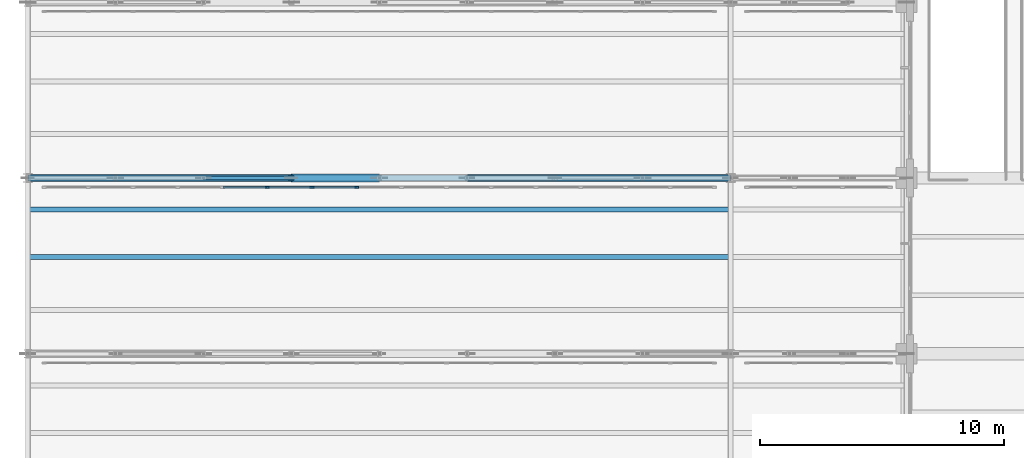
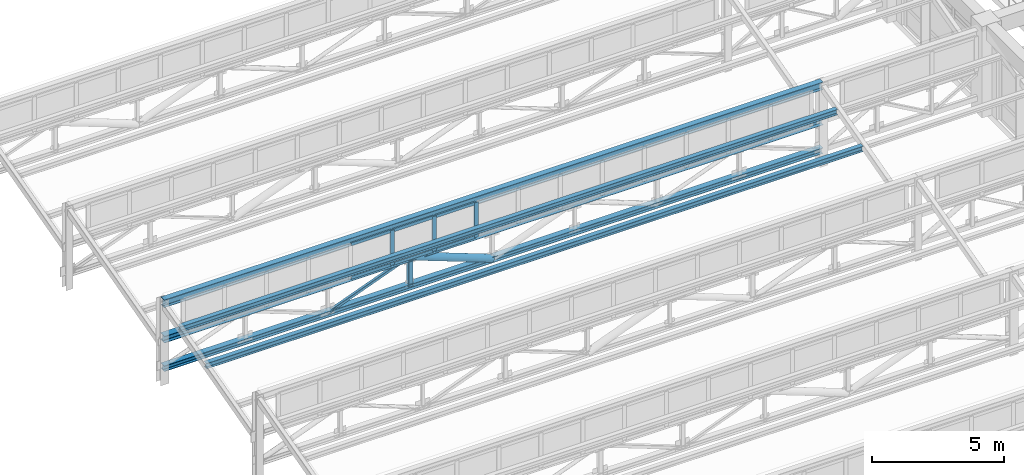
# One storey, part 18 of 98: 14 members, 3 beams, 1 element without a shape of its own.
"""IFC4 building model written with IfcOpenShell, lengths in metres."""

from ifc_helpers import new_model, si_unit, direction, frame, origin, origin_2d, place, context, subcontext, project, spatial, rectangle, hollow_rectangle, hollow_circle, i_section, extrude, material, layer, layer_set, material_profile, profile_set, type_object, element, aggregate, save


model = new_model("IFC4")

# Units and contexts
model_context = context("Model", 3, precision=1e-05, world=origin(), true_north=direction((0.0, 1.0)))
body_context = subcontext(model_context, "Body", "Model", "MODEL_VIEW")
ifc_project = project(units=[si_unit("LENGTHUNIT", "METRE"), si_unit("AREAUNIT", "SQUARE_METRE"), si_unit("VOLUMEUNIT", "CUBIC_METRE"), si_unit("PLANEANGLEUNIT", "RADIAN"), si_unit("MASSUNIT", "GRAM", prefix="KILO")], contexts=[model_context])

# Site, building, storey
site_placement = place(None, origin())
site = spatial("IfcSite", under=ifc_project, at=site_placement, CompositionType="ELEMENT")
building_placement = place(site_placement, origin())
building = spatial("IfcBuilding", under=site, at=building_placement, Name="Solenvale Faculty of Natural Sciences", CompositionType="ELEMENT")
storey_placement = place(building_placement, frame((0.0, 0.0, 9.0)))
storey = spatial("IfcBuildingStorey", under=building, at=storey_placement, Name="L02", CompositionType="ELEMENT", Elevation=9.0)

# Beams
ifc_material_1 = material(Name="Steel S355", Category="steel")
ifc_material_profile_1 = material_profile(ifc_material_1, i_section(OverallWidth=0.202880859375, OverallDepth=0.251953125, WebThickness=0.008056640625, FlangeThickness=0.013427734375, FilletRadius=0.012939453125, at=origin_2d()), Name="W250x58")
ifc_profile_set_1 = profile_set([ifc_material_profile_1], Name="Steel S355")
beam_type_1 = type_object("IfcBeamType", Name="BM-PRL-W250x58", PredefinedType="JOIST", material=ifc_profile_set_1)
for number, where, z_axis, x_axis, name in (
    (1, (0.0, 25.56005859375, 2.75830078125), (1.0, 0.0, 0.0), (0.0, 1.0, 0.0), "V1 Sawtooth Purlin 4.1.2"),
    (2, (0.0, 27.50390625, 3.279296875), (1.0, 0.0, 0.0), (0.0, 1.0, 0.0), "V1 Sawtooth Purlin 4.1.3"),
):
    element("IfcBeam", number, at=place(storey_placement, frame(where, z_axis=z_axis, x_axis=x_axis)), inside=storey, type_object=beam_type_1, Name=name, PredefinedType="JOIST", context=body_context, shape_type="SweptSolid", body=[
        extrude(i_section(OverallWidth=0.202880859375, OverallDepth=0.251953125, WebThickness=0.008056640625, FlangeThickness=0.013427734375, FilletRadius=0.012939453125, at=origin_2d()), origin(), (0.0, 0.0, 1.0), 28.7041015625),
    ])
ifc_material_profile_2 = material_profile(ifc_material_1, i_section(OverallWidth=0.2548828125, OverallDepth=0.35693359375, WebThickness=0.010498046875, FlangeThickness=0.018310546875, FilletRadius=0.014892578125, at=origin_2d()), Name="W360x101")
ifc_profile_set_2 = profile_set([ifc_material_profile_2], Name="Steel S355")
beam_type_2 = type_object("IfcBeamType", Name="BM-STL-W360x101", PredefinedType="JOIST", material=ifc_profile_set_2)
beam_placement = place(storey_placement, frame((0.0, 28.800048828125, 3.68896484375), z_axis=(1.0, 0.0, 0.0), x_axis=(0.0, 1.0, 0.0)))
element("IfcBeam", 3, at=beam_placement, inside=storey, type_object=beam_type_2, Name="V1 Sawtooth Clerestory Ridge Beam 4.1", PredefinedType="JOIST", context=body_context, shape_type="SweptSolid", body=[
    extrude(i_section(OverallWidth=0.2548828125, OverallDepth=0.35693359375, WebThickness=0.010498046875, FlangeThickness=0.018310546875, FilletRadius=0.014892578125, at=origin_2d()), origin(), (0.0, 0.0, 1.0), 28.800048828125),
])

# Curtain wall, members
ifc_material_2 = material(Name="Anodised bronze aluminium", Category="aluminium")
ifc_layer = layer(ifc_material_2, 0.1650390625)
ifc_layer_set = layer_set([ifc_layer], Name="Anodised bronze aluminium")
curtain_wall_type = type_object("IfcCurtainWallType", Name="CW-SAW-CLR", PredefinedType="USERDEFINED", material=ifc_layer_set)
curtain_wall_placement = place(storey_placement, origin())
curtain_wall = element("IfcCurtainWall", 4, at=curtain_wall_placement, inside=storey, type_object=curtain_wall_type, Name="L02 Curtain Wall SAW-V1-CW-4-1", ObjectType="NORTH LIGHT CLERESTORY", PredefinedType="USERDEFINED")
ifc_material_profile_3 = material_profile(ifc_material_2, rectangle(XDim=0.06494140625, YDim=0.175048828125, at=origin_2d()), Name="ALU-MUL-65x175")
ifc_profile_set_3 = profile_set([ifc_material_profile_3], Name="Anodised bronze aluminium")
member_type_1 = type_object("IfcMemberType", Name="CWM-ALU-65x175", PredefinedType="MULLION", material=ifc_profile_set_3)
member_1_placement = place(storey_placement, frame((13.482666015625, 28.419921875, 2.22998046875), z_axis=(0.0, 0.0, 1.0), x_axis=(0.0, -1.0, 0.0)))
member_1 = element("IfcMember", 5, at=member_1_placement, type_object=member_type_1, Name="CW-05 mullion 9", PredefinedType="MULLION", context=body_context, shape_type="SweptSolid", body=[
    extrude(rectangle(XDim=0.06494140625, YDim=0.175048828125, at=origin_2d()), origin(), (0.0, 0.0, 1.0), 1.610107421875),
])
member_2_placement = place(storey_placement, frame((11.64794921875, 28.419921875, 2.22998046875), z_axis=(0.0, 0.0, 1.0), x_axis=(0.0, -1.0, 0.0)))
member_2 = element("IfcMember", 6, at=member_2_placement, type_object=member_type_1, Name="CW-05 mullion 10", PredefinedType="MULLION", context=body_context, shape_type="SweptSolid", body=[
    extrude(rectangle(XDim=0.06494140625, YDim=0.175048828125, at=origin_2d()), origin(), (0.0, 0.0, 1.0), 1.610107421875),
])
member_3_placement = place(storey_placement, frame((9.813232421875, 28.419921875, 2.22998046875), z_axis=(0.0, 0.0, 1.0), x_axis=(0.0, -1.0, 0.0)))
member_3 = element("IfcMember", 7, at=member_3_placement, type_object=member_type_1, Name="CW-05 mullion 11", PredefinedType="MULLION", context=body_context, shape_type="SweptSolid", body=[
    extrude(rectangle(XDim=0.06494140625, YDim=0.175048828125, at=origin_2d()), origin(), (0.0, 0.0, 1.0), 1.610107421875),
])
ifc_material_profile_4 = material_profile(ifc_material_2, rectangle(XDim=0.06494140625, YDim=0.135009765625, at=origin_2d()), Name="ALU-TRN-65x135")
ifc_profile_set_4 = profile_set([ifc_material_profile_4], Name="Anodised bronze aluminium")
member_type_2 = type_object("IfcMemberType", Name="CWT-ALU-65x135", PredefinedType="USERDEFINED", material=ifc_profile_set_4)
member_4_placement = place(storey_placement, frame((13.4501953125, 28.419921875, 2.262451171875), z_axis=(-1.0, 0.0, 0.0), x_axis=(0.0, -1.0, 0.0)))
member_4 = element("IfcMember", 8, at=member_4_placement, type_object=member_type_2, Name="CW-05 transom 9.1", ObjectType="TRANSOM", PredefinedType="USERDEFINED", context=body_context, shape_type="SweptSolid", body=[
    extrude(rectangle(XDim=0.06494140625, YDim=0.135009765625, at=origin_2d()), origin(), (0.0, 0.0, 1.0), 1.769775390625),
])
member_5_placement = place(storey_placement, frame((13.4501953125, 28.419921875, 3.8076171875), z_axis=(-1.0, 0.0, 0.0), x_axis=(0.0, -1.0, 0.0)))
member_5 = element("IfcMember", 9, at=member_5_placement, type_object=member_type_2, Name="CW-05 transom 9.2", ObjectType="TRANSOM", PredefinedType="USERDEFINED", context=body_context, shape_type="SweptSolid", body=[
    extrude(rectangle(XDim=0.06494140625, YDim=0.135009765625, at=origin_2d()), origin(), (0.0, 0.0, 1.0), 1.769775390625),
])
member_6_placement = place(storey_placement, frame((11.615478515625, 28.419921875, 2.262451171875), z_axis=(-1.0, 0.0, 0.0), x_axis=(0.0, -1.0, 0.0)))
member_6 = element("IfcMember", 10, at=member_6_placement, type_object=member_type_2, Name="CW-05 transom 10.1", ObjectType="TRANSOM", PredefinedType="USERDEFINED", context=body_context, shape_type="SweptSolid", body=[
    extrude(rectangle(XDim=0.06494140625, YDim=0.135009765625, at=origin_2d()), origin(), (0.0, 0.0, 1.0), 1.76953125),
])
member_7_placement = place(storey_placement, frame((11.615478515625, 28.419921875, 3.8076171875), z_axis=(-1.0, 0.0, 0.0), x_axis=(0.0, -1.0, 0.0)))
member_7 = element("IfcMember", 11, at=member_7_placement, type_object=member_type_2, Name="CW-05 transom 10.2", ObjectType="TRANSOM", PredefinedType="USERDEFINED", context=body_context, shape_type="SweptSolid", body=[
    extrude(rectangle(XDim=0.06494140625, YDim=0.135009765625, at=origin_2d()), origin(), (0.0, 0.0, 1.0), 1.76953125),
])
member_8_placement = place(storey_placement, frame((9.78076171875, 28.419921875, 2.262451171875), z_axis=(-1.0, 0.0, 0.0), x_axis=(0.0, -1.0, 0.0)))
member_8 = element("IfcMember", 12, at=member_8_placement, type_object=member_type_2, Name="CW-05 transom 11.1", ObjectType="TRANSOM", PredefinedType="USERDEFINED", context=body_context, shape_type="SweptSolid", body=[
    extrude(rectangle(XDim=0.06494140625, YDim=0.135009765625, at=origin_2d()), origin(), (0.0, 0.0, 1.0), 1.76953125),
])
member_9_placement = place(storey_placement, frame((9.78076171875, 28.419921875, 3.8076171875), z_axis=(-1.0, 0.0, 0.0), x_axis=(0.0, -1.0, 0.0)))
member_9 = element("IfcMember", 13, at=member_9_placement, type_object=member_type_2, Name="CW-05 transom 11.2", ObjectType="TRANSOM", PredefinedType="USERDEFINED", context=body_context, shape_type="SweptSolid", body=[
    extrude(rectangle(XDim=0.06494140625, YDim=0.135009765625, at=origin_2d()), origin(), (0.0, 0.0, 1.0), 1.76953125),
])
aggregate(curtain_wall, [member_1, member_2, member_3, member_4, member_5, member_6, member_7, member_8, member_9])

# Members
ifc_material_profile_5 = material_profile(ifc_material_1, hollow_circle(Radius=0.161865234375, WallThickness=0.0126953125, at=origin_2d()), Name="HSS324x13")
ifc_profile_set_5 = profile_set([ifc_material_profile_5], Name="Steel S355")
member_type_3 = type_object("IfcMemberType", Name="MB-BRC-CHS324", PredefinedType="BRACE", material=ifc_profile_set_5)
member_10_placement = place(storey_placement, frame((10.800048828125, 28.800048828125, 2.050048828125), z_axis=(0.935458110384, 0.0, -0.353437581075), x_axis=(0.0, 1.0, 0.0)))
element("IfcMember", 14, at=member_10_placement, inside=storey, type_object=member_type_3, Name="V1 Truss 4.1 Diagonal 4", PredefinedType="BRACE", context=body_context, shape_type="SweptSolid", body=[
    extrude(hollow_circle(Radius=0.161865234375, WallThickness=0.0126953125, at=origin_2d()), origin(), (0.0, 0.0, 1.0), 3.84814453125),
])
ifc_material_profile_6 = material_profile(ifc_material_1, hollow_rectangle(XDim=0.126953125, YDim=0.126953125, WallThickness=0.008056640625, InnerFilletRadius=0.008056640625, OuterFilletRadius=0.01611328125, at=origin_2d()), Name="HSS127x127x8.0")
ifc_profile_set_6 = profile_set([ifc_material_profile_6], Name="Steel S355")
member_type_4 = type_object("IfcMemberType", Name="MB-BRC-HSS127", PredefinedType="BRACE", material=ifc_profile_set_6)
member_11_placement = place(storey_placement, frame((7.199951171875, 28.800048828125, 0.68994140625), z_axis=(0.935466034784, 0.0, 0.353416606522), x_axis=(0.0, 1.0, 0.0)))
element("IfcMember", 15, at=member_11_placement, inside=storey, type_object=member_type_4, Name="V1 Truss 4.1 Diagonal 3", PredefinedType="BRACE", context=body_context, shape_type="SweptSolid", body=[
    extrude(hollow_rectangle(XDim=0.126953125, YDim=0.126953125, WallThickness=0.008056640625, InnerFilletRadius=0.008056640625, OuterFilletRadius=0.01611328125, at=origin_2d()), origin(), (0.0, 0.0, 1.0), 3.848388671875),
])
ifc_material_profile_7 = material_profile(ifc_material_1, i_section(OverallWidth=0.256103515625, OverallDepth=0.260009765625, WebThickness=0.0107421875, FlangeThickness=0.017333984375, FilletRadius=0.012939453125, at=origin_2d()), Name="W250x89")
ifc_profile_set_7 = profile_set([ifc_material_profile_7], Name="Steel S355")
member_type_5 = type_object("IfcMemberType", Name="MB-CHD-W250x89", PredefinedType="CHORD", material=ifc_profile_set_7)
member_12_placement = place(storey_placement, frame((0.0, 28.800048828125, 0.68994140625), z_axis=(1.0, 0.0, 0.0), x_axis=(0.0, 1.0, 0.0)))
element("IfcMember", 16, at=member_12_placement, inside=storey, type_object=member_type_5, Name="V1 Truss 4.1 Bottom Chord", PredefinedType="CHORD", context=body_context, shape_type="SweptSolid", body=[
    extrude(i_section(OverallWidth=0.256103515625, OverallDepth=0.260009765625, WebThickness=0.0107421875, FlangeThickness=0.017333984375, FilletRadius=0.012939453125, at=origin_2d()), origin(), (0.0, 0.0, 1.0), 28.800048828125),
])
ifc_material_profile_8 = material_profile(ifc_material_1, i_section(OverallWidth=0.304931640625, OverallDepth=0.30810546875, WebThickness=0.010009765625, FlangeThickness=0.015380859375, FilletRadius=0.014892578125, at=origin_2d()), Name="W310x97")
ifc_profile_set_8 = profile_set([ifc_material_profile_8], Name="Steel S355")
member_type_6 = type_object("IfcMemberType", Name="MB-CHD-W310x97", PredefinedType="CHORD", material=ifc_profile_set_8)
member_13_placement = place(storey_placement, frame((0.0, 28.800048828125, 2.050048828125), z_axis=(1.0, 0.0, 0.0), x_axis=(0.0, 1.0, 0.0)))
element("IfcMember", 17, at=member_13_placement, inside=storey, type_object=member_type_6, Name="V1 Truss 4.1 Top Chord", PredefinedType="CHORD", context=body_context, shape_type="SweptSolid", body=[
    extrude(i_section(OverallWidth=0.304931640625, OverallDepth=0.30810546875, WebThickness=0.010009765625, FlangeThickness=0.015380859375, FilletRadius=0.014892578125, at=origin_2d()), origin(), (0.0, 0.0, 1.0), 28.800048828125),
])
ifc_material_profile_9 = material_profile(ifc_material_1, hollow_rectangle(XDim=0.202880859375, YDim=0.202880859375, WallThickness=0.0126953125, InnerFilletRadius=0.0126953125, OuterFilletRadius=0.025390625, at=origin_2d()), Name="HSS203x203x13")
ifc_profile_set_9 = profile_set([ifc_material_profile_9], Name="Steel S355")
member_type_7 = type_object("IfcMemberType", Name="MB-STR-HSS203", PredefinedType="STRUT", material=ifc_profile_set_9)
member_14_placement = place(storey_placement, frame((10.800048828125, 28.800048828125, 0.68994140625), z_axis=(0.0, 0.0, 1.0), x_axis=(1.0, 0.0, 0.0)))
element("IfcMember", 18, at=member_14_placement, inside=storey, type_object=member_type_7, Name="V1 Truss 4.1 Strut 3", PredefinedType="STRUT", context=body_context, shape_type="SweptSolid", body=[
    extrude(hollow_rectangle(XDim=0.202880859375, YDim=0.202880859375, WallThickness=0.0126953125, InnerFilletRadius=0.0126953125, OuterFilletRadius=0.025390625, at=origin_2d()), origin(), (0.0, 0.0, 1.0), 1.360107421875),
])

save(model, "model.ifc")
